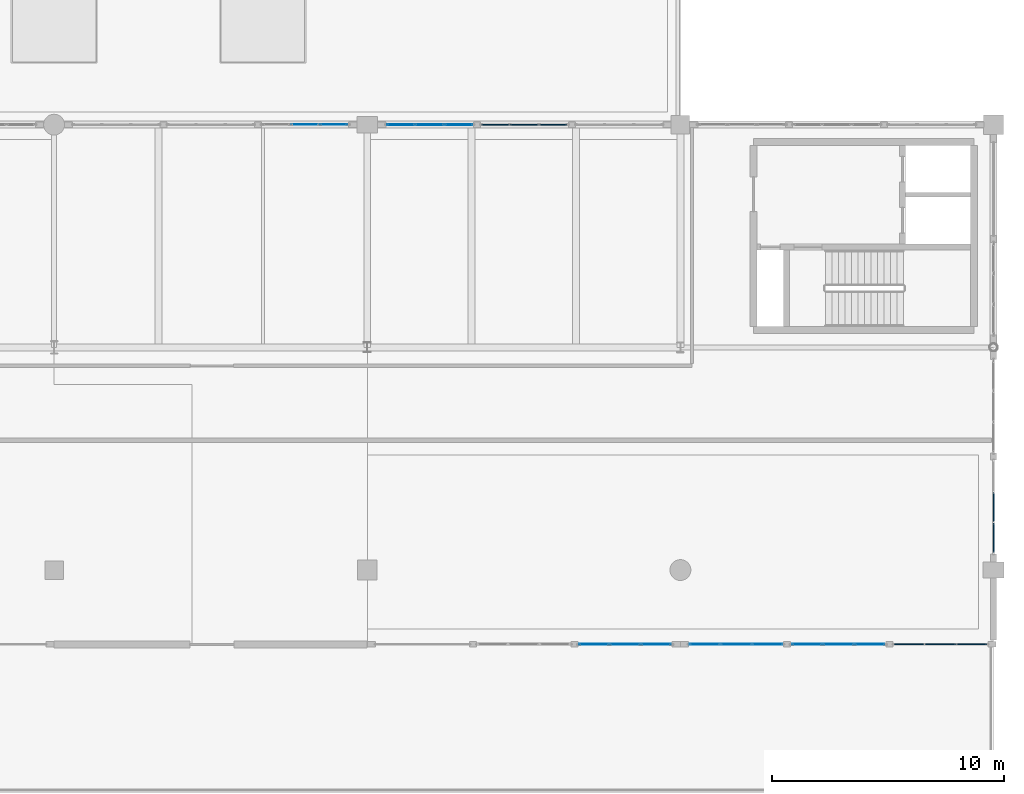
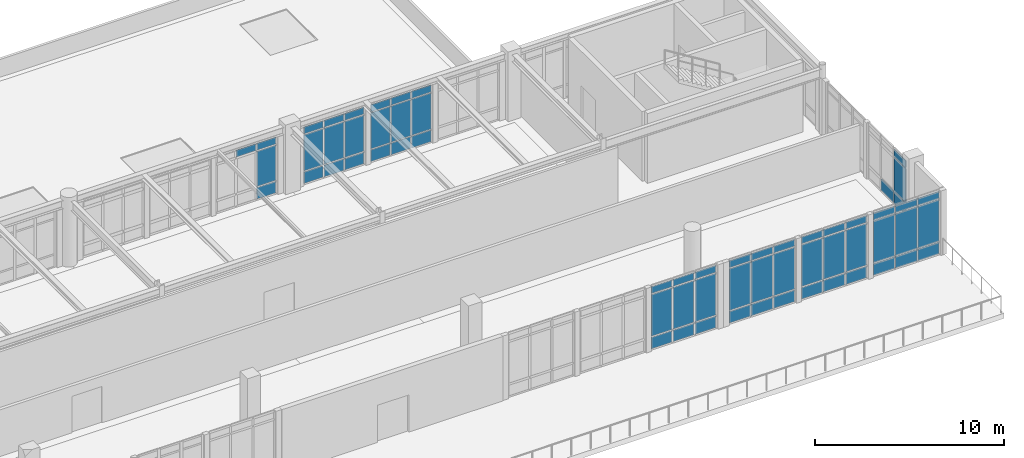
# One storey, part 44 of 55: 62 plates, 8 elements without a shape of their own.
"""IFC4 building model written with IfcOpenShell, lengths in metres."""

from ifc_helpers import new_model, si_unit, direction, frame, origin, origin_2d, place, context, subcontext, project, spatial, rectangle, extrude, material, layer, layer_set, type_object, element, aggregate, save


model = new_model("IFC4")

# Units and contexts
model_context = context("Model", 3, precision=1e-05, world=origin(), true_north=direction((0.0, 1.0)))
body_context = subcontext(model_context, "Body", "Model", "MODEL_VIEW")
ifc_project = project(units=[si_unit("LENGTHUNIT", "METRE"), si_unit("AREAUNIT", "SQUARE_METRE"), si_unit("VOLUMEUNIT", "CUBIC_METRE"), si_unit("PLANEANGLEUNIT", "RADIAN"), si_unit("MASSUNIT", "GRAM", prefix="KILO")], contexts=[model_context])

# Site, building, storey
site_placement = place(None, origin())
site = spatial("IfcSite", under=ifc_project, at=site_placement, CompositionType="ELEMENT")
building_placement = place(site_placement, origin())
building = spatial("IfcBuilding", under=site, at=building_placement, Name="Fikremerkos Civic Library", CompositionType="ELEMENT")
storey_placement = place(building_placement, frame((0.0, 0.0, 18.89990234375)))
storey = spatial("IfcBuildingStorey", under=building, at=storey_placement, Name="L04", CompositionType="ELEMENT", Elevation=18.89990234375)

# Curtain wall, plates
ifc_material_1 = material(Name="Anodized aluminium Frame", Category="aluminium")
ifc_layer_1 = layer(ifc_material_1, 0.159912109375, Name="Anodized aluminium Frame")
ifc_layer_set_1 = layer_set([ifc_layer_1], Name="Anodized aluminium Frame")
curtain_wall_type_1 = type_object("IfcCurtainWallType", Name="Unitised curtain wall CW-17 4600x3600", PredefinedType="USERDEFINED", material=ifc_layer_set_1)
curtain_wall_1_placement = place(storey_placement, origin())
curtain_wall_1 = element("IfcCurtainWall", 1, at=curtain_wall_1_placement, inside=storey, type_object=curtain_wall_type_1, Name="Unitised curtain wall CW-17 L04 #215", ObjectType="UNITISED CURTAIN WALL", PredefinedType="USERDEFINED")
ifc_material_2 = material(Name="Solar control double glazing", Category="glass")
ifc_layer_2 = layer(ifc_material_2, 0.028076171875, Name="Solar control double glazing")
ifc_layer_set_2 = layer_set([ifc_layer_2], Name="Solar control double glazing")
plate_type_1 = type_object("IfcPlateType", Name="Curtain glazing panel CWP-01 28", PredefinedType="CURTAIN_PANEL", material=ifc_layer_set_2)
plate_1_placement = place(storey_placement, frame((108.357421875, 8.800048828125, 0.070068359375), z_axis=(0.0, 0.0, 1.0), x_axis=(-1.0, 0.0, 0.0)))
plate_1 = element("IfcPlate", 2, at=plate_1_placement, type_object=plate_type_1, Name="CW-17 panel 1.1", PredefinedType="CURTAIN_PANEL", context=body_context, shape_type="SweptSolid", body=[
    extrude(rectangle(XDim=1.27001953125, YDim=0.028076171875, at=origin_2d()), origin(), (0.0, 0.0, 1.0), 0.7451171875),
])
plate_2_placement = place(storey_placement, frame((108.357421875, 8.800048828125, 0.885009765625), z_axis=(0.0, 0.0, 1.0), x_axis=(-1.0, 0.0, 0.0)))
plate_2 = element("IfcPlate", 3, at=plate_2_placement, type_object=plate_type_1, Name="CW-17 panel 1.2", PredefinedType="CURTAIN_PANEL", context=body_context, shape_type="SweptSolid", body=[
    extrude(rectangle(XDim=1.27001953125, YDim=0.028076171875, at=origin_2d()), origin(), (0.0, 0.0, 1.0), 2.68994140625),
])
plate_3_placement = place(storey_placement, frame((108.357421875, 8.800048828125, 3.64501953125), z_axis=(0.0, 0.0, 1.0), x_axis=(-1.0, 0.0, 0.0)))
plate_3 = element("IfcPlate", 4, at=plate_3_placement, type_object=plate_type_1, Name="CW-17 panel 1.3", PredefinedType="CURTAIN_PANEL", context=body_context, shape_type="SweptSolid", body=[
    extrude(rectangle(XDim=1.27001953125, YDim=0.028076171875, at=origin_2d()), origin(), (0.0, 0.0, 1.0), 0.445068359375),
])
plate_4_placement = place(storey_placement, frame((107.006103515625, 8.800048828125, 0.070068359375), z_axis=(0.0, 0.0, 1.0), x_axis=(-1.0, 0.0, 0.0)))
plate_4 = element("IfcPlate", 5, at=plate_4_placement, type_object=plate_type_1, Name="CW-17 panel 2.1", PredefinedType="CURTAIN_PANEL", context=body_context, shape_type="SweptSolid", body=[
    extrude(rectangle(XDim=1.302490234375, YDim=0.028076171875, at=origin_2d()), origin(), (0.0, 0.0, 1.0), 0.7451171875),
])
plate_5_placement = place(storey_placement, frame((107.006103515625, 8.800048828125, 0.885009765625), z_axis=(0.0, 0.0, 1.0), x_axis=(-1.0, 0.0, 0.0)))
plate_5 = element("IfcPlate", 6, at=plate_5_placement, type_object=plate_type_1, Name="CW-17 panel 2.2", PredefinedType="CURTAIN_PANEL", context=body_context, shape_type="SweptSolid", body=[
    extrude(rectangle(XDim=1.302490234375, YDim=0.028076171875, at=origin_2d()), origin(), (0.0, 0.0, 1.0), 2.68994140625),
])
plate_6_placement = place(storey_placement, frame((107.006103515625, 8.800048828125, 3.64501953125), z_axis=(0.0, 0.0, 1.0), x_axis=(-1.0, 0.0, 0.0)))
plate_6 = element("IfcPlate", 7, at=plate_6_placement, type_object=plate_type_1, Name="CW-17 panel 2.3", PredefinedType="CURTAIN_PANEL", context=body_context, shape_type="SweptSolid", body=[
    extrude(rectangle(XDim=1.302490234375, YDim=0.028076171875, at=origin_2d()), origin(), (0.0, 0.0, 1.0), 0.445068359375),
])
plate_7_placement = place(storey_placement, frame((105.65478515625, 8.800048828125, 0.070068359375), z_axis=(0.0, 0.0, 1.0), x_axis=(-1.0, 0.0, 0.0)))
plate_7 = element("IfcPlate", 8, at=plate_7_placement, type_object=plate_type_1, Name="CW-17 panel 3.1", PredefinedType="CURTAIN_PANEL", context=body_context, shape_type="SweptSolid", body=[
    extrude(rectangle(XDim=1.27001953125, YDim=0.028076171875, at=origin_2d()), origin(), (0.0, 0.0, 1.0), 0.7451171875),
])
plate_8_placement = place(storey_placement, frame((105.65478515625, 8.800048828125, 0.885009765625), z_axis=(0.0, 0.0, 1.0), x_axis=(-1.0, 0.0, 0.0)))
plate_8 = element("IfcPlate", 9, at=plate_8_placement, type_object=plate_type_1, Name="CW-17 panel 3.2", PredefinedType="CURTAIN_PANEL", context=body_context, shape_type="SweptSolid", body=[
    extrude(rectangle(XDim=1.27001953125, YDim=0.028076171875, at=origin_2d()), origin(), (0.0, 0.0, 1.0), 2.68994140625),
])
plate_9_placement = place(storey_placement, frame((105.65478515625, 8.800048828125, 3.64501953125), z_axis=(0.0, 0.0, 1.0), x_axis=(-1.0, 0.0, 0.0)))
plate_9 = element("IfcPlate", 10, at=plate_9_placement, type_object=plate_type_1, Name="CW-17 panel 3.3", PredefinedType="CURTAIN_PANEL", context=body_context, shape_type="SweptSolid", body=[
    extrude(rectangle(XDim=1.27001953125, YDim=0.028076171875, at=origin_2d()), origin(), (0.0, 0.0, 1.0), 0.445068359375),
])
aggregate(curtain_wall_1, [plate_1, plate_2, plate_3, plate_4, plate_5, plate_6, plate_7, plate_8, plate_9])

ifc_layer_3 = layer(ifc_material_1, 0.159912109375, Name="Anodized aluminium Frame")
ifc_layer_set_3 = layer_set([ifc_layer_3], Name="Anodized aluminium Frame")
curtain_wall_type_2 = type_object("IfcCurtainWallType", Name="Unitised curtain wall CW-01 3600x3600", PredefinedType="USERDEFINED", material=ifc_layer_set_3)
curtain_wall_2_placement = place(storey_placement, origin())
curtain_wall_2 = element("IfcCurtainWall", 11, at=curtain_wall_2_placement, inside=storey, type_object=curtain_wall_type_2, Name="Unitised curtain wall CW-01 L04 #217", ObjectType="UNITISED CURTAIN WALL", PredefinedType="USERDEFINED")
plate_10_placement = place(storey_placement, frame((99.154296875, 8.800048828125, 0.070068359375), z_axis=(0.0, 0.0, 1.0), x_axis=(-1.0, 0.0, 0.0)))
plate_10 = element("IfcPlate", 12, at=plate_10_placement, type_object=plate_type_1, Name="CW-01 panel 1.1", PredefinedType="CURTAIN_PANEL", context=body_context, shape_type="SweptSolid", body=[
    extrude(rectangle(XDim=1.257568359375, YDim=0.028076171875, at=origin_2d()), origin(), (0.0, 0.0, 1.0), 0.7451171875),
])
plate_11_placement = place(storey_placement, frame((99.154296875, 8.800048828125, 0.885009765625), z_axis=(0.0, 0.0, 1.0), x_axis=(-1.0, 0.0, 0.0)))
plate_11 = element("IfcPlate", 13, at=plate_11_placement, type_object=plate_type_1, Name="CW-01 panel 1.2", PredefinedType="CURTAIN_PANEL", context=body_context, shape_type="SweptSolid", body=[
    extrude(rectangle(XDim=1.257568359375, YDim=0.028076171875, at=origin_2d()), origin(), (0.0, 0.0, 1.0), 2.68994140625),
])
plate_12_placement = place(storey_placement, frame((99.154296875, 8.800048828125, 3.64501953125), z_axis=(0.0, 0.0, 1.0), x_axis=(-1.0, 0.0, 0.0)))
plate_12 = element("IfcPlate", 14, at=plate_12_placement, type_object=plate_type_1, Name="CW-01 panel 1.3", PredefinedType="CURTAIN_PANEL", context=body_context, shape_type="SweptSolid", body=[
    extrude(rectangle(XDim=1.257568359375, YDim=0.028076171875, at=origin_2d()), origin(), (0.0, 0.0, 1.0), 0.445068359375),
])
plate_13_placement = place(storey_placement, frame((97.8154296875, 8.800048828125, 0.070068359375), z_axis=(0.0, 0.0, 1.0), x_axis=(-1.0, 0.0, 0.0)))
plate_13 = element("IfcPlate", 15, at=plate_13_placement, type_object=plate_type_1, Name="CW-01 panel 2.1", PredefinedType="CURTAIN_PANEL", context=body_context, shape_type="SweptSolid", body=[
    extrude(rectangle(XDim=1.2900390625, YDim=0.028076171875, at=origin_2d()), origin(), (0.0, 0.0, 1.0), 0.7451171875),
])
plate_14_placement = place(storey_placement, frame((97.8154296875, 8.800048828125, 0.885009765625), z_axis=(0.0, 0.0, 1.0), x_axis=(-1.0, 0.0, 0.0)))
plate_14 = element("IfcPlate", 16, at=plate_14_placement, type_object=plate_type_1, Name="CW-01 panel 2.2", PredefinedType="CURTAIN_PANEL", context=body_context, shape_type="SweptSolid", body=[
    extrude(rectangle(XDim=1.2900390625, YDim=0.028076171875, at=origin_2d()), origin(), (0.0, 0.0, 1.0), 2.68994140625),
])
plate_15_placement = place(storey_placement, frame((97.8154296875, 8.800048828125, 3.64501953125), z_axis=(0.0, 0.0, 1.0), x_axis=(-1.0, 0.0, 0.0)))
plate_15 = element("IfcPlate", 17, at=plate_15_placement, type_object=plate_type_1, Name="CW-01 panel 2.3", PredefinedType="CURTAIN_PANEL", context=body_context, shape_type="SweptSolid", body=[
    extrude(rectangle(XDim=1.2900390625, YDim=0.028076171875, at=origin_2d()), origin(), (0.0, 0.0, 1.0), 0.445068359375),
])
plate_16_placement = place(storey_placement, frame((96.4765625, 8.800048828125, 0.070068359375), z_axis=(0.0, 0.0, 1.0), x_axis=(-1.0, 0.0, 0.0)))
plate_16 = element("IfcPlate", 18, at=plate_16_placement, type_object=plate_type_1, Name="CW-01 panel 3.1", PredefinedType="CURTAIN_PANEL", context=body_context, shape_type="SweptSolid", body=[
    extrude(rectangle(XDim=1.257568359375, YDim=0.028076171875, at=origin_2d()), origin(), (0.0, 0.0, 1.0), 0.7451171875),
])
plate_17_placement = place(storey_placement, frame((96.4765625, 8.800048828125, 0.885009765625), z_axis=(0.0, 0.0, 1.0), x_axis=(-1.0, 0.0, 0.0)))
plate_17 = element("IfcPlate", 19, at=plate_17_placement, type_object=plate_type_1, Name="CW-01 panel 3.2", PredefinedType="CURTAIN_PANEL", context=body_context, shape_type="SweptSolid", body=[
    extrude(rectangle(XDim=1.257568359375, YDim=0.028076171875, at=origin_2d()), origin(), (0.0, 0.0, 1.0), 2.68994140625),
])
plate_18_placement = place(storey_placement, frame((96.4765625, 8.800048828125, 3.64501953125), z_axis=(0.0, 0.0, 1.0), x_axis=(-1.0, 0.0, 0.0)))
plate_18 = element("IfcPlate", 20, at=plate_18_placement, type_object=plate_type_1, Name="CW-01 panel 3.3", PredefinedType="CURTAIN_PANEL", context=body_context, shape_type="SweptSolid", body=[
    extrude(rectangle(XDim=1.257568359375, YDim=0.028076171875, at=origin_2d()), origin(), (0.0, 0.0, 1.0), 0.445068359375),
])
aggregate(curtain_wall_2, [plate_10, plate_11, plate_12, plate_13, plate_14, plate_15, plate_16, plate_17, plate_18])

ifc_layer_4 = layer(ifc_material_1, 0.159912109375, Name="Anodized aluminium Frame")
ifc_layer_set_4 = layer_set([ifc_layer_4], Name="Anodized aluminium Frame")
curtain_wall_type_3 = type_object("IfcCurtainWallType", Name="Unitised curtain wall CW-09 3600x3400", PredefinedType="USERDEFINED", material=ifc_layer_set_4)
curtain_wall_3_placement = place(storey_placement, origin())
curtain_wall_3 = element("IfcCurtainWall", 21, at=curtain_wall_3_placement, inside=storey, type_object=curtain_wall_type_3, Name="Unitised curtain wall CW-09 L04 #243", ObjectType="UNITISED CURTAIN WALL", PredefinedType="USERDEFINED")
plate_19_placement = place(storey_placement, frame((84.01806640625, 31.199951171875, 3.22509765625), z_axis=(0.0, 0.0, 1.0), x_axis=(1.0, 0.0, 0.0)))
plate_19 = element("IfcPlate", 22, at=plate_19_placement, type_object=plate_type_1, Name="CW-09 panel 2.3", PredefinedType="CURTAIN_PANEL", context=body_context, shape_type="SweptSolid", body=[
    extrude(rectangle(XDim=1.19091796875, YDim=0.028076171875, at=origin_2d()), origin(), (0.0, 0.0, 1.0), 0.445068359375),
])
plate_20_placement = place(storey_placement, frame((85.2578125, 31.199951171875, 0.070068359375), z_axis=(0.0, 0.0, 1.0), x_axis=(1.0, 0.0, 0.0)))
plate_20 = element("IfcPlate", 23, at=plate_20_placement, type_object=plate_type_1, Name="CW-09 panel 3.1", PredefinedType="CURTAIN_PANEL", context=body_context, shape_type="SweptSolid", body=[
    extrude(rectangle(XDim=1.158447265625, YDim=0.028076171875, at=origin_2d()), origin(), (0.0, 0.0, 1.0), 0.7451171875),
])
plate_21_placement = place(storey_placement, frame((85.2578125, 31.199951171875, 0.885009765625), z_axis=(0.0, 0.0, 1.0), x_axis=(1.0, 0.0, 0.0)))
plate_21 = element("IfcPlate", 24, at=plate_21_placement, type_object=plate_type_1, Name="CW-09 panel 3.2", PredefinedType="CURTAIN_PANEL", context=body_context, shape_type="SweptSolid", body=[
    extrude(rectangle(XDim=1.158447265625, YDim=0.028076171875, at=origin_2d()), origin(), (0.0, 0.0, 1.0), 2.27001953125),
])
plate_22_placement = place(storey_placement, frame((85.2578125, 31.199951171875, 3.22509765625), z_axis=(0.0, 0.0, 1.0), x_axis=(1.0, 0.0, 0.0)))
plate_22 = element("IfcPlate", 25, at=plate_22_placement, type_object=plate_type_1, Name="CW-09 panel 3.3", PredefinedType="CURTAIN_PANEL", context=body_context, shape_type="SweptSolid", body=[
    extrude(rectangle(XDim=1.158447265625, YDim=0.028076171875, at=origin_2d()), origin(), (0.0, 0.0, 1.0), 0.445068359375),
])
aggregate(curtain_wall_3, [plate_19, plate_20, plate_21, plate_22])

ifc_layer_5 = layer(ifc_material_1, 0.159912109375, Name="Anodized aluminium Frame")
ifc_layer_set_5 = layer_set([ifc_layer_5], Name="Anodized aluminium Frame")
curtain_wall_type_4 = type_object("IfcCurtainWallType", Name="Unitised curtain wall CW-18 2700x3400", PredefinedType="USERDEFINED", material=ifc_layer_set_5)
curtain_wall_4_placement = place(storey_placement, origin())
curtain_wall_4 = element("IfcCurtainWall", 26, at=curtain_wall_4_placement, inside=storey, type_object=curtain_wall_type_4, Name="Unitised curtain wall CW-18 L04 #216", ObjectType="UNITISED CURTAIN WALL", PredefinedType="USERDEFINED")
ifc_layer_6 = layer(ifc_material_2, 0.035888671875, Name="Solar control double glazing")
ifc_layer_set_6 = layer_set([ifc_layer_6], Name="Solar control double glazing")
plate_type_2 = type_object("IfcPlateType", Name="Curtain glazing panel CWP-02 36", PredefinedType="CURTAIN_PANEL", material=ifc_layer_set_6)
plate_23_placement = place(storey_placement, frame((103.955810546875, 8.800048828125, 0.070068359375), z_axis=(0.0, 0.0, 1.0), x_axis=(-1.0, 0.0, 0.0)))
plate_23 = element("IfcPlate", 27, at=plate_23_placement, type_object=plate_type_2, Name="CW-18 panel 1.1", PredefinedType="CURTAIN_PANEL", context=body_context, shape_type="SweptSolid", body=[
    extrude(rectangle(XDim=1.277587890625, YDim=0.035888671875, at=origin_2d()), origin(), (0.0, 0.0, 1.0), 0.7451171875),
])
plate_24_placement = place(storey_placement, frame((103.955810546875, 8.800048828125, 0.885009765625), z_axis=(0.0, 0.0, 1.0), x_axis=(-1.0, 0.0, 0.0)))
plate_24 = element("IfcPlate", 28, at=plate_24_placement, type_object=plate_type_2, Name="CW-18 panel 1.2", PredefinedType="CURTAIN_PANEL", context=body_context, shape_type="SweptSolid", body=[
    extrude(rectangle(XDim=1.277587890625, YDim=0.035888671875, at=origin_2d()), origin(), (0.0, 0.0, 1.0), 2.68994140625),
])
plate_25_placement = place(storey_placement, frame((103.955810546875, 8.800048828125, 3.64501953125), z_axis=(0.0, 0.0, 1.0), x_axis=(-1.0, 0.0, 0.0)))
plate_25 = element("IfcPlate", 29, at=plate_25_placement, type_object=plate_type_2, Name="CW-18 panel 1.3", PredefinedType="CURTAIN_PANEL", context=body_context, shape_type="SweptSolid", body=[
    extrude(rectangle(XDim=1.277587890625, YDim=0.035888671875, at=origin_2d()), origin(), (0.0, 0.0, 1.0), 0.445068359375),
])
plate_26_placement = place(storey_placement, frame((102.603271484375, 8.800048828125, 0.070068359375), z_axis=(0.0, 0.0, 1.0), x_axis=(-1.0, 0.0, 0.0)))
plate_26 = element("IfcPlate", 30, at=plate_26_placement, type_object=plate_type_2, Name="CW-18 panel 2.1", PredefinedType="CURTAIN_PANEL", context=body_context, shape_type="SweptSolid", body=[
    extrude(rectangle(XDim=1.3076171875, YDim=0.035888671875, at=origin_2d()), origin(), (0.0, 0.0, 1.0), 0.7451171875),
])
plate_27_placement = place(storey_placement, frame((102.603271484375, 8.800048828125, 0.885009765625), z_axis=(0.0, 0.0, 1.0), x_axis=(-1.0, 0.0, 0.0)))
plate_27 = element("IfcPlate", 31, at=plate_27_placement, type_object=plate_type_2, Name="CW-18 panel 2.2", PredefinedType="CURTAIN_PANEL", context=body_context, shape_type="SweptSolid", body=[
    extrude(rectangle(XDim=1.3076171875, YDim=0.035888671875, at=origin_2d()), origin(), (0.0, 0.0, 1.0), 2.68994140625),
])
plate_28_placement = place(storey_placement, frame((102.603271484375, 8.800048828125, 3.64501953125), z_axis=(0.0, 0.0, 1.0), x_axis=(-1.0, 0.0, 0.0)))
plate_28 = element("IfcPlate", 32, at=plate_28_placement, type_object=plate_type_2, Name="CW-18 panel 2.3", PredefinedType="CURTAIN_PANEL", context=body_context, shape_type="SweptSolid", body=[
    extrude(rectangle(XDim=1.3076171875, YDim=0.035888671875, at=origin_2d()), origin(), (0.0, 0.0, 1.0), 0.445068359375),
])
plate_29_placement = place(storey_placement, frame((101.250732421875, 8.800048828125, 0.070068359375), z_axis=(0.0, 0.0, 1.0), x_axis=(-1.0, 0.0, 0.0)))
plate_29 = element("IfcPlate", 33, at=plate_29_placement, type_object=plate_type_2, Name="CW-18 panel 3.1", PredefinedType="CURTAIN_PANEL", context=body_context, shape_type="SweptSolid", body=[
    extrude(rectangle(XDim=1.277587890625, YDim=0.035888671875, at=origin_2d()), origin(), (0.0, 0.0, 1.0), 0.7451171875),
])
plate_30_placement = place(storey_placement, frame((101.250732421875, 8.800048828125, 0.885009765625), z_axis=(0.0, 0.0, 1.0), x_axis=(-1.0, 0.0, 0.0)))
plate_30 = element("IfcPlate", 34, at=plate_30_placement, type_object=plate_type_2, Name="CW-18 panel 3.2", PredefinedType="CURTAIN_PANEL", context=body_context, shape_type="SweptSolid", body=[
    extrude(rectangle(XDim=1.277587890625, YDim=0.035888671875, at=origin_2d()), origin(), (0.0, 0.0, 1.0), 2.68994140625),
])
plate_31_placement = place(storey_placement, frame((101.250732421875, 8.800048828125, 3.64501953125), z_axis=(0.0, 0.0, 1.0), x_axis=(-1.0, 0.0, 0.0)))
plate_31 = element("IfcPlate", 35, at=plate_31_placement, type_object=plate_type_2, Name="CW-18 panel 3.3", PredefinedType="CURTAIN_PANEL", context=body_context, shape_type="SweptSolid", body=[
    extrude(rectangle(XDim=1.277587890625, YDim=0.035888671875, at=origin_2d()), origin(), (0.0, 0.0, 1.0), 0.445068359375),
])
aggregate(curtain_wall_4, [plate_23, plate_24, plate_25, plate_26, plate_27, plate_28, plate_29, plate_30, plate_31])

ifc_layer_7 = layer(ifc_material_1, 0.159912109375, Name="Anodized aluminium Frame")
ifc_layer_set_7 = layer_set([ifc_layer_7], Name="Anodized aluminium Frame")
curtain_wall_type_5 = type_object("IfcCurtainWallType", Name="Unitised curtain wall CW-10 4000x3400", PredefinedType="USERDEFINED", material=ifc_layer_set_7)
curtain_wall_5_placement = place(storey_placement, origin())
curtain_wall_5 = element("IfcCurtainWall", 36, at=curtain_wall_5_placement, inside=storey, type_object=curtain_wall_type_5, Name="Unitised curtain wall CW-10 L04 #244", ObjectType="UNITISED CURTAIN WALL", PredefinedType="USERDEFINED")
plate_32_placement = place(storey_placement, frame((88.143798828125, 31.199951171875, 0.070068359375), z_axis=(0.0, 0.0, 1.0), x_axis=(1.0, 0.0, 0.0)))
plate_32 = element("IfcPlate", 37, at=plate_32_placement, type_object=plate_type_2, Name="CW-10 panel 1.1", PredefinedType="CURTAIN_PANEL", context=body_context, shape_type="SweptSolid", body=[
    extrude(rectangle(XDim=1.171630859375, YDim=0.035888671875, at=origin_2d()), origin(), (0.0, 0.0, 1.0), 0.7451171875),
])
plate_33_placement = place(storey_placement, frame((88.143798828125, 31.199951171875, 0.88525390625), z_axis=(0.0, 0.0, 1.0), x_axis=(1.0, 0.0, 0.0)))
plate_33 = element("IfcPlate", 38, at=plate_33_placement, type_object=plate_type_2, Name="CW-10 panel 1.2", PredefinedType="CURTAIN_PANEL", context=body_context, shape_type="SweptSolid", body=[
    extrude(rectangle(XDim=1.171630859375, YDim=0.035888671875, at=origin_2d()), origin(), (0.0, 0.0, 1.0), 2.320068359375),
])
plate_34_placement = place(storey_placement, frame((88.143798828125, 31.199951171875, 3.27490234375), z_axis=(0.0, 0.0, 1.0), x_axis=(1.0, 0.0, 0.0)))
plate_34 = element("IfcPlate", 39, at=plate_34_placement, type_object=plate_type_2, Name="CW-10 panel 1.3", PredefinedType="CURTAIN_PANEL", context=body_context, shape_type="SweptSolid", body=[
    extrude(rectangle(XDim=1.171630859375, YDim=0.035888671875, at=origin_2d()), origin(), (0.0, 0.0, 1.0), 0.445068359375),
])
plate_35_placement = place(storey_placement, frame((89.390380859375, 31.199951171875, 0.070068359375), z_axis=(0.0, 0.0, 1.0), x_axis=(1.0, 0.0, 0.0)))
plate_35 = element("IfcPlate", 40, at=plate_35_placement, type_object=plate_type_2, Name="CW-10 panel 2.1", PredefinedType="CURTAIN_PANEL", context=body_context, shape_type="SweptSolid", body=[
    extrude(rectangle(XDim=1.20166015625, YDim=0.035888671875, at=origin_2d()), origin(), (0.0, 0.0, 1.0), 0.7451171875),
])
plate_36_placement = place(storey_placement, frame((89.390380859375, 31.199951171875, 0.88525390625), z_axis=(0.0, 0.0, 1.0), x_axis=(1.0, 0.0, 0.0)))
plate_36 = element("IfcPlate", 41, at=plate_36_placement, type_object=plate_type_2, Name="CW-10 panel 2.2", PredefinedType="CURTAIN_PANEL", context=body_context, shape_type="SweptSolid", body=[
    extrude(rectangle(XDim=1.20166015625, YDim=0.035888671875, at=origin_2d()), origin(), (0.0, 0.0, 1.0), 2.320068359375),
])
plate_37_placement = place(storey_placement, frame((89.390380859375, 31.199951171875, 3.27490234375), z_axis=(0.0, 0.0, 1.0), x_axis=(1.0, 0.0, 0.0)))
plate_37 = element("IfcPlate", 42, at=plate_37_placement, type_object=plate_type_2, Name="CW-10 panel 2.3", PredefinedType="CURTAIN_PANEL", context=body_context, shape_type="SweptSolid", body=[
    extrude(rectangle(XDim=1.20166015625, YDim=0.035888671875, at=origin_2d()), origin(), (0.0, 0.0, 1.0), 0.445068359375),
])
plate_38_placement = place(storey_placement, frame((90.636962890625, 31.199951171875, 0.070068359375), z_axis=(0.0, 0.0, 1.0), x_axis=(1.0, 0.0, 0.0)))
plate_38 = element("IfcPlate", 43, at=plate_38_placement, type_object=plate_type_2, Name="CW-10 panel 3.1", PredefinedType="CURTAIN_PANEL", context=body_context, shape_type="SweptSolid", body=[
    extrude(rectangle(XDim=1.171630859375, YDim=0.035888671875, at=origin_2d()), origin(), (0.0, 0.0, 1.0), 0.7451171875),
])
plate_39_placement = place(storey_placement, frame((90.636962890625, 31.199951171875, 0.88525390625), z_axis=(0.0, 0.0, 1.0), x_axis=(1.0, 0.0, 0.0)))
plate_39 = element("IfcPlate", 44, at=plate_39_placement, type_object=plate_type_2, Name="CW-10 panel 3.2", PredefinedType="CURTAIN_PANEL", context=body_context, shape_type="SweptSolid", body=[
    extrude(rectangle(XDim=1.171630859375, YDim=0.035888671875, at=origin_2d()), origin(), (0.0, 0.0, 1.0), 2.320068359375),
])
plate_40_placement = place(storey_placement, frame((90.636962890625, 31.199951171875, 3.27490234375), z_axis=(0.0, 0.0, 1.0), x_axis=(1.0, 0.0, 0.0)))
plate_40 = element("IfcPlate", 45, at=plate_40_placement, type_object=plate_type_2, Name="CW-10 panel 3.3", PredefinedType="CURTAIN_PANEL", context=body_context, shape_type="SweptSolid", body=[
    extrude(rectangle(XDim=1.171630859375, YDim=0.035888671875, at=origin_2d()), origin(), (0.0, 0.0, 1.0), 0.445068359375),
])
aggregate(curtain_wall_5, [plate_32, plate_33, plate_34, plate_35, plate_36, plate_37, plate_38, plate_39, plate_40])

ifc_layer_8 = layer(ifc_material_1, 0.159912109375, Name="Anodized aluminium Frame")
ifc_layer_set_8 = layer_set([ifc_layer_8], Name="Anodized aluminium Frame")
curtain_wall_type_6 = type_object("IfcCurtainWallType", Name="Unitised curtain wall CW-15 2900x3600", PredefinedType="USERDEFINED", material=ifc_layer_set_8)
curtain_wall_6_placement = place(storey_placement, origin())
curtain_wall_6 = element("IfcCurtainWall", 46, at=curtain_wall_6_placement, inside=storey, type_object=curtain_wall_type_6, Name="Unitised curtain wall CW-15 L04 #213", ObjectType="UNITISED CURTAIN WALL", PredefinedType="USERDEFINED")
ifc_material_3 = material(Name="Insulated aluminium spandrel", Category="aluminium")
ifc_layer_9 = layer(ifc_material_3, 0.044921875, Name="Insulated aluminium spandrel")
ifc_layer_set_9 = layer_set([ifc_layer_9], Name="Insulated aluminium spandrel")
plate_type_3 = type_object("IfcPlateType", Name="Curtain spandrel panel CSP-01 45", PredefinedType="CURTAIN_PANEL", material=ifc_layer_set_9)
plate_41_placement = place(storey_placement, frame((113.699951171875, 14.717041015625, 0.070068359375), z_axis=(0.0, 0.0, 1.0), x_axis=(0.0, -1.0, 0.0)))
plate_41 = element("IfcPlate", 47, at=plate_41_placement, type_object=plate_type_3, Name="CW-15 panel 2.1", PredefinedType="CURTAIN_PANEL", context=body_context, shape_type="SweptSolid", body=[
    extrude(rectangle(XDim=1.2861328125, YDim=0.044921875, at=origin_2d()), origin(), (0.0, 0.0, 1.0), 0.7451171875),
])
plate_42_placement = place(storey_placement, frame((113.699951171875, 13.385986328125, 0.070068359375), z_axis=(0.0, 0.0, 1.0), x_axis=(0.0, -1.0, 0.0)))
plate_42 = element("IfcPlate", 48, at=plate_42_placement, type_object=plate_type_3, Name="CW-15 panel 3.1", PredefinedType="CURTAIN_PANEL", context=body_context, shape_type="SweptSolid", body=[
    extrude(rectangle(XDim=1.256103515625, YDim=0.044921875, at=origin_2d()), origin(), (0.0, 0.0, 1.0), 0.7451171875),
])
plate_43_placement = place(storey_placement, frame((113.699951171875, 13.385986328125, 0.88525390625), z_axis=(0.0, 0.0, 1.0), x_axis=(0.0, -1.0, 0.0)))
plate_43 = element("IfcPlate", 49, at=plate_43_placement, type_object=plate_type_3, Name="CW-15 panel 3.2", PredefinedType="CURTAIN_PANEL", context=body_context, shape_type="SweptSolid", body=[
    extrude(rectangle(XDim=1.256103515625, YDim=0.044921875, at=origin_2d()), origin(), (0.0, 0.0, 1.0), 2.159912109375),
])
plate_44_placement = place(storey_placement, frame((113.699951171875, 13.385986328125, 3.115234375), z_axis=(0.0, 0.0, 1.0), x_axis=(0.0, -1.0, 0.0)))
plate_44 = element("IfcPlate", 50, at=plate_44_placement, type_object=plate_type_3, Name="CW-15 panel 3.3", PredefinedType="CURTAIN_PANEL", context=body_context, shape_type="SweptSolid", body=[
    extrude(rectangle(XDim=1.256103515625, YDim=0.044921875, at=origin_2d()), origin(), (0.0, 0.0, 1.0), 0.445068359375),
])
aggregate(curtain_wall_6, [plate_41, plate_42, plate_43, plate_44])

ifc_layer_10 = layer(ifc_material_1, 0.159912109375, Name="Anodized aluminium Frame")
ifc_layer_set_10 = layer_set([ifc_layer_10], Name="Anodized aluminium Frame")
curtain_wall_type_7 = type_object("IfcCurtainWallType", Name="Unitised curtain wall CW-11 3200x3400", PredefinedType="USERDEFINED", material=ifc_layer_set_10)
curtain_wall_7_placement = place(storey_placement, origin())
curtain_wall_7 = element("IfcCurtainWall", 51, at=curtain_wall_7_placement, inside=storey, type_object=curtain_wall_type_7, Name="Unitised curtain wall CW-11 L04 #245", ObjectType="UNITISED CURTAIN WALL", PredefinedType="USERDEFINED")
plate_45_placement = place(storey_placement, frame((92.228515625, 31.199951171875, 0.065185546875), z_axis=(0.0, 0.0, 1.0), x_axis=(1.0, 0.0, 0.0)))
plate_45 = element("IfcPlate", 52, at=plate_45_placement, type_object=plate_type_3, Name="CW-11 panel 1.1", PredefinedType="CURTAIN_PANEL", context=body_context, shape_type="SweptSolid", body=[
    extrude(rectangle(XDim=1.171630859375, YDim=0.044921875, at=origin_2d()), origin(), (0.0, 0.0, 1.0), 0.75244140625),
])
plate_46_placement = place(storey_placement, frame((92.228515625, 31.199951171875, 0.8828125), z_axis=(0.0, 0.0, 1.0), x_axis=(1.0, 0.0, 0.0)))
plate_46 = element("IfcPlate", 53, at=plate_46_placement, type_object=plate_type_3, Name="CW-11 panel 1.2", PredefinedType="CURTAIN_PANEL", context=body_context, shape_type="SweptSolid", body=[
    extrude(rectangle(XDim=1.171630859375, YDim=0.044921875, at=origin_2d()), origin(), (0.0, 0.0, 1.0), 2.324951171875),
])
plate_47_placement = place(storey_placement, frame((92.228515625, 31.199951171875, 3.2724609375), z_axis=(0.0, 0.0, 1.0), x_axis=(1.0, 0.0, 0.0)))
plate_47 = element("IfcPlate", 54, at=plate_47_placement, type_object=plate_type_3, Name="CW-11 panel 1.3", PredefinedType="CURTAIN_PANEL", context=body_context, shape_type="SweptSolid", body=[
    extrude(rectangle(XDim=1.171630859375, YDim=0.044921875, at=origin_2d()), origin(), (0.0, 0.0, 1.0), 0.452392578125),
])
plate_48_placement = place(storey_placement, frame((93.47509765625, 31.199951171875, 0.065185546875), z_axis=(0.0, 0.0, 1.0), x_axis=(1.0, 0.0, 0.0)))
plate_48 = element("IfcPlate", 55, at=plate_48_placement, type_object=plate_type_3, Name="CW-11 panel 2.1", PredefinedType="CURTAIN_PANEL", context=body_context, shape_type="SweptSolid", body=[
    extrude(rectangle(XDim=1.20166015625, YDim=0.044921875, at=origin_2d()), origin(), (0.0, 0.0, 1.0), 0.75244140625),
])
plate_49_placement = place(storey_placement, frame((93.47509765625, 31.199951171875, 0.8828125), z_axis=(0.0, 0.0, 1.0), x_axis=(1.0, 0.0, 0.0)))
plate_49 = element("IfcPlate", 56, at=plate_49_placement, type_object=plate_type_3, Name="CW-11 panel 2.2", PredefinedType="CURTAIN_PANEL", context=body_context, shape_type="SweptSolid", body=[
    extrude(rectangle(XDim=1.20166015625, YDim=0.044921875, at=origin_2d()), origin(), (0.0, 0.0, 1.0), 2.324951171875),
])
plate_50_placement = place(storey_placement, frame((93.47509765625, 31.199951171875, 3.2724609375), z_axis=(0.0, 0.0, 1.0), x_axis=(1.0, 0.0, 0.0)))
plate_50 = element("IfcPlate", 57, at=plate_50_placement, type_object=plate_type_3, Name="CW-11 panel 2.3", PredefinedType="CURTAIN_PANEL", context=body_context, shape_type="SweptSolid", body=[
    extrude(rectangle(XDim=1.20166015625, YDim=0.044921875, at=origin_2d()), origin(), (0.0, 0.0, 1.0), 0.452392578125),
])
plate_51_placement = place(storey_placement, frame((94.721435546875, 31.199951171875, 0.065185546875), z_axis=(0.0, 0.0, 1.0), x_axis=(1.0, 0.0, 0.0)))
plate_51 = element("IfcPlate", 58, at=plate_51_placement, type_object=plate_type_3, Name="CW-11 panel 3.1", PredefinedType="CURTAIN_PANEL", context=body_context, shape_type="SweptSolid", body=[
    extrude(rectangle(XDim=1.171630859375, YDim=0.044921875, at=origin_2d()), origin(), (0.0, 0.0, 1.0), 0.75244140625),
])
plate_52_placement = place(storey_placement, frame((94.721435546875, 31.199951171875, 0.8828125), z_axis=(0.0, 0.0, 1.0), x_axis=(1.0, 0.0, 0.0)))
plate_52 = element("IfcPlate", 59, at=plate_52_placement, type_object=plate_type_3, Name="CW-11 panel 3.2", PredefinedType="CURTAIN_PANEL", context=body_context, shape_type="SweptSolid", body=[
    extrude(rectangle(XDim=1.171630859375, YDim=0.044921875, at=origin_2d()), origin(), (0.0, 0.0, 1.0), 2.324951171875),
])
plate_53_placement = place(storey_placement, frame((94.721435546875, 31.199951171875, 3.2724609375), z_axis=(0.0, 0.0, 1.0), x_axis=(1.0, 0.0, 0.0)))
plate_53 = element("IfcPlate", 60, at=plate_53_placement, type_object=plate_type_3, Name="CW-11 panel 3.3", PredefinedType="CURTAIN_PANEL", context=body_context, shape_type="SweptSolid", body=[
    extrude(rectangle(XDim=1.171630859375, YDim=0.044921875, at=origin_2d()), origin(), (0.0, 0.0, 1.0), 0.452392578125),
])
aggregate(curtain_wall_7, [plate_45, plate_46, plate_47, plate_48, plate_49, plate_50, plate_51, plate_52, plate_53])

ifc_layer_11 = layer(ifc_material_1, 0.159912109375, Name="Anodized aluminium Frame")
ifc_layer_set_11 = layer_set([ifc_layer_11], Name="Anodized aluminium Frame")
curtain_wall_type_8 = type_object("IfcCurtainWallType", Name="Unitised curtain wall CW-16 3100x4100", PredefinedType="USERDEFINED", material=ifc_layer_set_11)
curtain_wall_8_placement = place(storey_placement, origin())
curtain_wall_8 = element("IfcCurtainWall", 61, at=curtain_wall_8_placement, inside=storey, type_object=curtain_wall_type_8, Name="Unitised curtain wall CW-16 L04 #214", ObjectType="UNITISED CURTAIN WALL", PredefinedType="USERDEFINED")
ifc_layer_12 = layer(ifc_material_3, 0.054931640625, Name="Insulated aluminium spandrel")
ifc_layer_set_12 = layer_set([ifc_layer_12], Name="Insulated aluminium spandrel")
plate_type_4 = type_object("IfcPlateType", Name="Curtain spandrel panel CSP-02 55", PredefinedType="CURTAIN_PANEL", material=ifc_layer_set_12)
plate_54_placement = place(storey_placement, frame((112.76123046875, 8.800048828125, 0.070068359375), z_axis=(0.0, 0.0, 1.0), x_axis=(-1.0, 0.0, 0.0)))
plate_54 = element("IfcPlate", 62, at=plate_54_placement, type_object=plate_type_4, Name="CW-16 panel 1.1", PredefinedType="CURTAIN_PANEL", context=body_context, shape_type="SweptSolid", body=[
    extrude(rectangle(XDim=1.277587890625, YDim=0.054931640625, at=origin_2d()), origin(), (0.0, 0.0, 1.0), 0.7451171875),
])
plate_55_placement = place(storey_placement, frame((112.76123046875, 8.800048828125, 0.885009765625), z_axis=(0.0, 0.0, 1.0), x_axis=(-1.0, 0.0, 0.0)))
plate_55 = element("IfcPlate", 63, at=plate_55_placement, type_object=plate_type_4, Name="CW-16 panel 1.2", PredefinedType="CURTAIN_PANEL", context=body_context, shape_type="SweptSolid", body=[
    extrude(rectangle(XDim=1.277587890625, YDim=0.054931640625, at=origin_2d()), origin(), (0.0, 0.0, 1.0), 2.68994140625),
])
plate_56_placement = place(storey_placement, frame((112.76123046875, 8.800048828125, 3.64501953125), z_axis=(0.0, 0.0, 1.0), x_axis=(-1.0, 0.0, 0.0)))
plate_56 = element("IfcPlate", 64, at=plate_56_placement, type_object=plate_type_4, Name="CW-16 panel 1.3", PredefinedType="CURTAIN_PANEL", context=body_context, shape_type="SweptSolid", body=[
    extrude(rectangle(XDim=1.277587890625, YDim=0.054931640625, at=origin_2d()), origin(), (0.0, 0.0, 1.0), 0.445068359375),
])
plate_57_placement = place(storey_placement, frame((111.40869140625, 8.800048828125, 0.070068359375), z_axis=(0.0, 0.0, 1.0), x_axis=(-1.0, 0.0, 0.0)))
plate_57 = element("IfcPlate", 65, at=plate_57_placement, type_object=plate_type_4, Name="CW-16 panel 2.1", PredefinedType="CURTAIN_PANEL", context=body_context, shape_type="SweptSolid", body=[
    extrude(rectangle(XDim=1.3076171875, YDim=0.054931640625, at=origin_2d()), origin(), (0.0, 0.0, 1.0), 0.7451171875),
])
plate_58_placement = place(storey_placement, frame((111.40869140625, 8.800048828125, 0.885009765625), z_axis=(0.0, 0.0, 1.0), x_axis=(-1.0, 0.0, 0.0)))
plate_58 = element("IfcPlate", 66, at=plate_58_placement, type_object=plate_type_4, Name="CW-16 panel 2.2", PredefinedType="CURTAIN_PANEL", context=body_context, shape_type="SweptSolid", body=[
    extrude(rectangle(XDim=1.3076171875, YDim=0.054931640625, at=origin_2d()), origin(), (0.0, 0.0, 1.0), 2.68994140625),
])
plate_59_placement = place(storey_placement, frame((111.40869140625, 8.800048828125, 3.64501953125), z_axis=(0.0, 0.0, 1.0), x_axis=(-1.0, 0.0, 0.0)))
plate_59 = element("IfcPlate", 67, at=plate_59_placement, type_object=plate_type_4, Name="CW-16 panel 2.3", PredefinedType="CURTAIN_PANEL", context=body_context, shape_type="SweptSolid", body=[
    extrude(rectangle(XDim=1.3076171875, YDim=0.054931640625, at=origin_2d()), origin(), (0.0, 0.0, 1.0), 0.445068359375),
])
plate_60_placement = place(storey_placement, frame((110.05615234375, 8.800048828125, 0.070068359375), z_axis=(0.0, 0.0, 1.0), x_axis=(-1.0, 0.0, 0.0)))
plate_60 = element("IfcPlate", 68, at=plate_60_placement, type_object=plate_type_4, Name="CW-16 panel 3.1", PredefinedType="CURTAIN_PANEL", context=body_context, shape_type="SweptSolid", body=[
    extrude(rectangle(XDim=1.277587890625, YDim=0.054931640625, at=origin_2d()), origin(), (0.0, 0.0, 1.0), 0.7451171875),
])
plate_61_placement = place(storey_placement, frame((110.05615234375, 8.800048828125, 0.885009765625), z_axis=(0.0, 0.0, 1.0), x_axis=(-1.0, 0.0, 0.0)))
plate_61 = element("IfcPlate", 69, at=plate_61_placement, type_object=plate_type_4, Name="CW-16 panel 3.2", PredefinedType="CURTAIN_PANEL", context=body_context, shape_type="SweptSolid", body=[
    extrude(rectangle(XDim=1.277587890625, YDim=0.054931640625, at=origin_2d()), origin(), (0.0, 0.0, 1.0), 2.68994140625),
])
plate_62_placement = place(storey_placement, frame((110.05615234375, 8.800048828125, 3.64501953125), z_axis=(0.0, 0.0, 1.0), x_axis=(-1.0, 0.0, 0.0)))
plate_62 = element("IfcPlate", 70, at=plate_62_placement, type_object=plate_type_4, Name="CW-16 panel 3.3", PredefinedType="CURTAIN_PANEL", context=body_context, shape_type="SweptSolid", body=[
    extrude(rectangle(XDim=1.277587890625, YDim=0.054931640625, at=origin_2d()), origin(), (0.0, 0.0, 1.0), 0.445068359375),
])
aggregate(curtain_wall_8, [plate_54, plate_55, plate_56, plate_57, plate_58, plate_59, plate_60, plate_61, plate_62])

save(model, "model.ifc")
